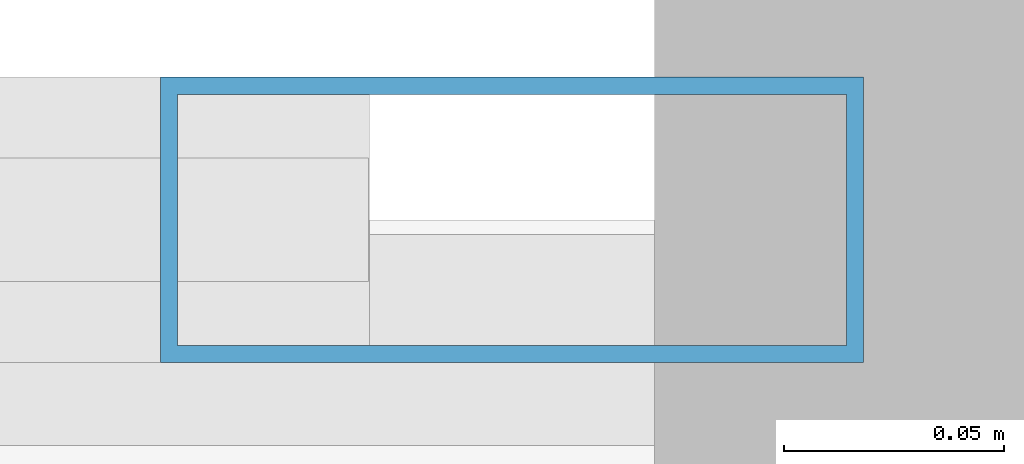
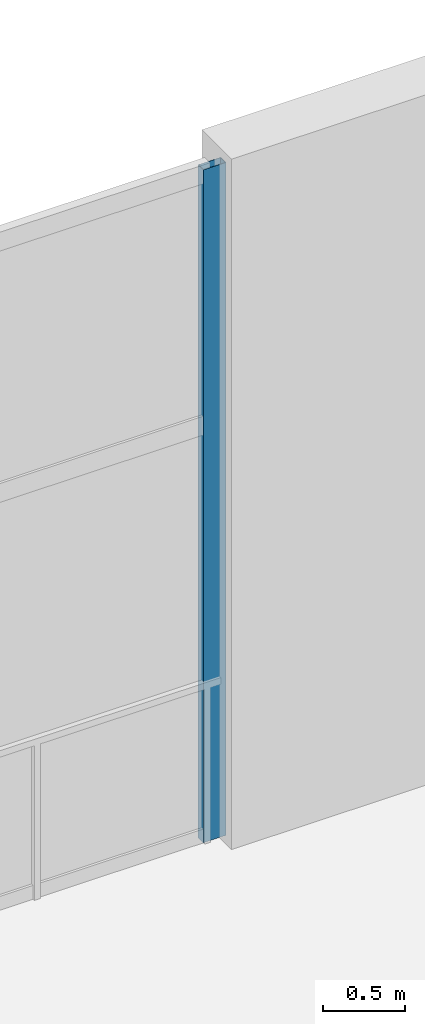
# One storey, part 12 of 29: 1 member, 1 element without a shape of its own.
"""IFC4 building model written with IfcOpenShell, lengths in metres."""

from ifc_helpers import new_model, si_unit, direction, frame, origin, origin_2d, place, context, subcontext, project, spatial, hollow_rectangle, extrude, material, layer, layer_set, material_profile, profile_set, type_object, element, aggregate, save


model = new_model("IFC4")

# Units and contexts
model_context = context("Model", 3, precision=1e-05, world=origin(), true_north=direction((0.0, 1.0)))
body_context = subcontext(model_context, "Body", "Model", "MODEL_VIEW")
ifc_project = project(units=[si_unit("LENGTHUNIT", "METRE"), si_unit("AREAUNIT", "SQUARE_METRE"), si_unit("VOLUMEUNIT", "CUBIC_METRE"), si_unit("PLANEANGLEUNIT", "RADIAN"), si_unit("MASSUNIT", "GRAM", prefix="KILO")], contexts=[model_context])

# Site, building, storey
site_placement = place(None, origin())
site = spatial("IfcSite", under=ifc_project, at=site_placement, CompositionType="ELEMENT")
building_placement = place(site_placement, origin())
building = spatial("IfcBuilding", under=site, at=building_placement, Name="Haevon Station Towers", CompositionType="ELEMENT")
storey_placement = place(building_placement, frame((0.0, 0.0, 25.199951171875)))
storey = spatial("IfcBuildingStorey", under=building, at=storey_placement, Name="L05", CompositionType="ELEMENT", Elevation=25.199951171875)

# Curtain wall, member
ifc_material_1 = material(Name="Anodised aluminium and Low-E double glazing", Category="aluminium")
ifc_layer = layer(ifc_material_1, 0.179931640625)
ifc_layer_set = layer_set([ifc_layer], Name="Anodised aluminium and Low-E double glazing")
curtain_wall_type = type_object("IfcCurtainWallType", Name="CW-SYS3", PredefinedType="NOTDEFINED", material=ifc_layer_set)
curtain_wall_placement = place(storey_placement, origin())
curtain_wall = element("IfcCurtainWall", 1, at=curtain_wall_placement, inside=storey, type_object=curtain_wall_type, Name="L05 Curtain Wall CW-POD-L05-N2", PredefinedType="NOTDEFINED")
ifc_material_2 = material(Name="Anodised aluminium 6063-T6", Category="aluminium")
ifc_material_profile = material_profile(ifc_material_2, hollow_rectangle(XDim=0.06494140625, YDim=0.159912109375, WallThickness=0.00390625, at=origin_2d()), Name="CWM-160x65x4")
ifc_profile_set = profile_set([ifc_material_profile], Name="Anodised aluminium 6063-T6")
member_type = type_object("IfcMemberType", Name="CWM-160", PredefinedType="MULLION", material=ifc_profile_set)
member_placement = place(storey_placement, frame((71.967529296875, 56.199951171875, 0.0), z_axis=(0.0, 0.0, 1.0), x_axis=(0.0, 1.0, 0.0)))
member = element("IfcMember", 2, at=member_placement, type_object=member_type, Name="CW-SYS3 mullion 3", PredefinedType="MULLION", context=body_context, shape_type="SweptSolid", body=[
    extrude(hollow_rectangle(XDim=0.06494140625, YDim=0.159912109375, WallThickness=0.00390625, at=origin_2d()), origin(), (0.0, 0.0, 1.0), 5.0),
])
aggregate(curtain_wall, [member])

save(model, "model.ifc")
